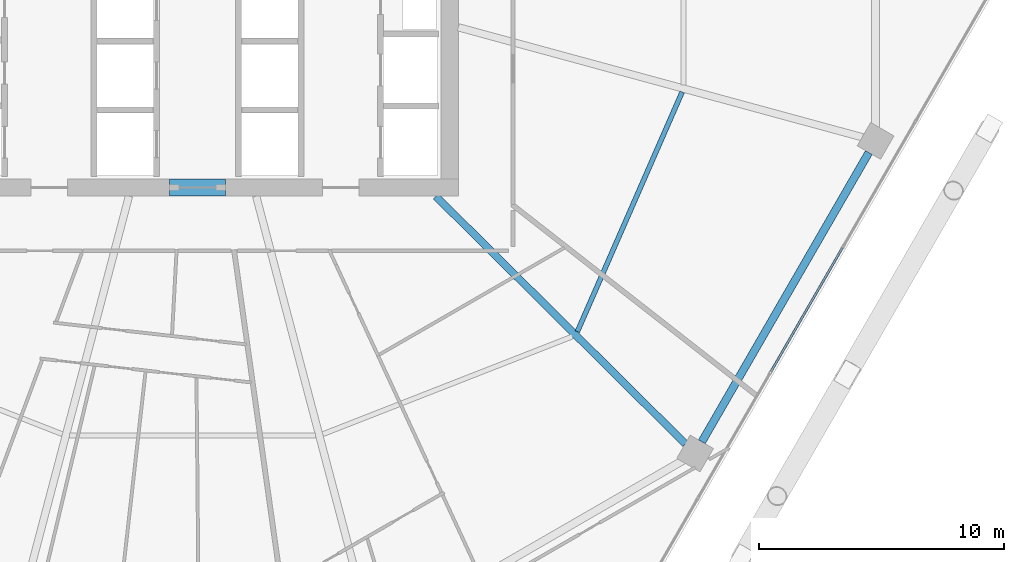
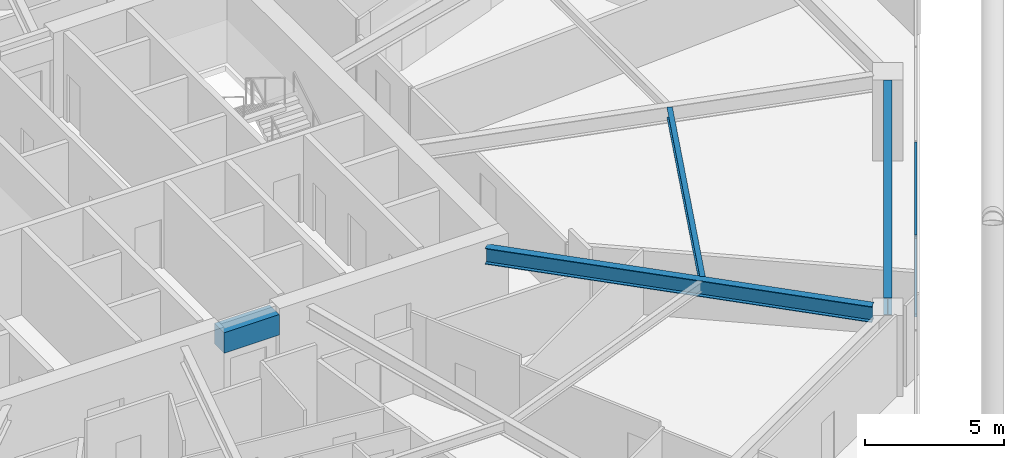
# One storey, part 11 of 35: 4 beams, 2 members, 1 element without a shape of its own.
"""IFC4 building model written with IfcOpenShell, lengths in metres."""

from ifc_helpers import new_model, si_unit, direction, frame, origin, origin_2d, place, context, subcontext, project, spatial, rectangle, hollow_rectangle, i_section, extrude, material, material_profile, profile_set, type_object, element, aggregate, save


model = new_model("IFC4")

# Units and contexts
model_context = context("Model", 3, precision=1e-05, world=origin(), true_north=direction((0.0, 1.0)))
body_context = subcontext(model_context, "Body", "Model", "MODEL_VIEW")
ifc_project = project(units=[si_unit("LENGTHUNIT", "METRE"), si_unit("AREAUNIT", "SQUARE_METRE"), si_unit("VOLUMEUNIT", "CUBIC_METRE"), si_unit("PLANEANGLEUNIT", "RADIAN"), si_unit("MASSUNIT", "GRAM", prefix="KILO")], contexts=[model_context])

# Site, building, storey
site_placement = place(None, origin())
site = spatial("IfcSite", under=ifc_project, at=site_placement, CompositionType="ELEMENT")
building_placement = place(site_placement, origin())
building = spatial("IfcBuilding", under=site, at=building_placement, Name="Zuhravey Tower", CompositionType="ELEMENT")
storey_placement = place(building_placement, frame((0.0, 0.0, 92.39990234375)))
storey = spatial("IfcBuildingStorey", under=building, at=storey_placement, Name="L22", CompositionType="ELEMENT", Elevation=92.39990234375)

# Beam
ifc_material_1 = material(Name="Concrete C60/75", Category="concrete")
ifc_material_profile_1 = material_profile(ifc_material_1, rectangle(XDim=0.699951171875, YDim=0.89990234375, at=origin_2d()), Name="RC-700x900")
ifc_profile_set_1 = profile_set([ifc_material_profile_1], Name="Concrete C60/75")
beam_type_1 = type_object("IfcBeamType", Name="Core Coupling Beam RC700x900", PredefinedType="LINTEL", material=ifc_profile_set_1)
beam_1_placement = place(storey_placement, frame((35.052001953125, 22.5, 3.10009765625), z_axis=(1.0, 0.0, 0.0), x_axis=(0.0, 1.0, 0.0)))
element("IfcBeam", 1, at=beam_1_placement, inside=storey, type_object=beam_type_1, Name="L22 CB1 BM-L22-CB-S", PredefinedType="LINTEL", context=body_context, shape_type="SweptSolid", body=[
    extrude(rectangle(XDim=0.699951171875, YDim=0.89990234375, at=origin_2d()), origin(), (0.0, 0.0, 1.0), 2.2958984375),
])

# Curtain wall, members
ifc_material_2 = material(Name="Thermally broken anodised aluminium", Category="aluminium")
curtain_wall_type = type_object("IfcCurtainWallType", Name="Zone 1-2 Residential Curtain Wall CW3", PredefinedType="NOTDEFINED", material=ifc_material_2)
curtain_wall_placement = place(storey_placement, origin())
curtain_wall = element("IfcCurtainWall", 2, at=curtain_wall_placement, inside=storey, type_object=curtain_wall_type, Name="L22 CW3 CW-L22-F6-1", PredefinedType="NOTDEFINED")
ifc_material_3 = material(Name="Anodised aluminium", Category="aluminium")
ifc_material_profile_2 = material_profile(ifc_material_3, hollow_rectangle(XDim=0.090087890625, YDim=0.14990234375, WallThickness=0.0048828125, at=origin_2d()), Name="ALU-RHS-90x150x5")
ifc_profile_set_2 = profile_set([ifc_material_profile_2], Name="Anodised aluminium")
member_type = type_object("IfcMemberType", Name="Curtain-Wall Transom 90x150", PredefinedType="USERDEFINED", material=ifc_profile_set_2)
member_1_placement = place(storey_placement, frame((62.5361328125, 20.045166015625, 0.045166015625), z_axis=(-0.499981042766, -0.866036348472, 0.0), x_axis=(0.866036348472, -0.499981042766, 0.0)))
member_1 = element("IfcMember", 3, at=member_1_placement, type_object=member_type, Name="CW3 transom 3.1", ObjectType="TRANSOM", PredefinedType="USERDEFINED", context=body_context, shape_type="SweptSolid", body=[
    extrude(hollow_rectangle(XDim=0.090087890625, YDim=0.14990234375, WallThickness=0.0048828125, at=origin_2d()), origin(), (0.0, 0.0, 1.0), 5.829833984375),
])
member_2_placement = place(storey_placement, frame((62.5361328125, 20.045166015625, 3.505126953125), z_axis=(-0.499981042766, -0.866036348472, 0.0), x_axis=(0.866036348472, -0.499981042766, 0.0)))
member_2 = element("IfcMember", 4, at=member_2_placement, type_object=member_type, Name="CW3 transom 3.2", ObjectType="TRANSOM", PredefinedType="USERDEFINED", context=body_context, shape_type="SweptSolid", body=[
    extrude(hollow_rectangle(XDim=0.090087890625, YDim=0.14990234375, WallThickness=0.0048828125, at=origin_2d()), origin(), (0.0, 0.0, 1.0), 5.829833984375),
])
aggregate(curtain_wall, [member_1, member_2])

# Beams
ifc_material_4 = material(Name="Steel SM355", Category="steel")
ifc_material_profile_3 = material_profile(ifc_material_4, i_section(OverallWidth=0.320068359375, OverallDepth=0.75, WebThickness=0.013916015625, FlangeThickness=0.02490234375, at=origin_2d()), Name="H-750x320x14x25")
ifc_profile_set_3 = profile_set([ifc_material_profile_3], Name="Steel SM355")
beam_type_2 = type_object("IfcBeamType", Name="Perimeter Ring Beam H750x320", PredefinedType="BEAM", material=ifc_profile_set_3)
beam_2_placement = place(storey_placement, frame((56.79541015625, 12.1220703125, 3.175048828125), z_axis=(0.500008177929, 0.866020682204, 0.0), x_axis=(-0.866020682204, 0.500008177929, 0.0)))
element("IfcBeam", 5, at=beam_2_placement, inside=storey, type_object=beam_type_2, Name="L22 PB1 BM-L22-PB-11", PredefinedType="BEAM", context=body_context, shape_type="SweptSolid", body=[
    extrude(i_section(OverallWidth=0.320068359375, OverallDepth=0.75, WebThickness=0.013916015625, FlangeThickness=0.02490234375, at=origin_2d()), origin(), (0.0, 0.0, 1.0), 13.634033203125),
])
ifc_material_profile_4 = material_profile(ifc_material_4, i_section(OverallWidth=0.300048828125, OverallDepth=0.699951171875, WebThickness=0.012939453125, FlangeThickness=0.02392578125, at=origin_2d()), Name="H-700x300x13x24")
ifc_profile_set_4 = profile_set([ifc_material_profile_4], Name="Steel SM355")
beam_type_3 = type_object("IfcBeamType", Name="Radial Primary Girder H700x300", PredefinedType="BEAM", material=ifc_profile_set_4)
beam_3_placement = place(storey_placement, frame((45.931396484375, 22.14697265625, 3.2001953125), z_axis=(0.709906230344, -0.704296204816, 0.0), x_axis=(0.704296204816, 0.709906230344, 0.0)))
element("IfcBeam", 6, at=beam_3_placement, inside=storey, type_object=beam_type_3, Name="L22 RG1 BM-L22-RAD-11", PredefinedType="BEAM", context=body_context, shape_type="SweptSolid", body=[
    extrude(i_section(OverallWidth=0.300048828125, OverallDepth=0.699951171875, WebThickness=0.012939453125, FlangeThickness=0.02392578125, at=origin_2d()), origin(), (0.0, 0.0, 1.0), 14.361083984375),
])
ifc_material_profile_5 = material_profile(ifc_material_4, i_section(OverallWidth=0.199951171875, OverallDepth=0.449951171875, WebThickness=0.009033203125, FlangeThickness=0.013916015625, at=origin_2d()), Name="H-450x200x9x14")
ifc_profile_set_5 = profile_set([ifc_material_profile_5], Name="Steel SM355")
beam_type_4 = type_object("IfcBeamType", Name="Secondary Floor Joist H450x200", PredefinedType="JOIST", material=ifc_profile_set_5)
beam_4_placement = place(storey_placement, frame((51.71044921875, 16.615966796875, 3.3251953125), z_axis=(0.400786454617, 0.916171500209, 0.0), x_axis=(-0.916171500209, 0.400786454617, 0.0)))
element("IfcBeam", 7, at=beam_4_placement, inside=storey, type_object=beam_type_4, Name="L22 SJ1 BM-L22-SJ-11-1", PredefinedType="JOIST", context=body_context, shape_type="SweptSolid", body=[
    extrude(i_section(OverallWidth=0.199951171875, OverallDepth=0.449951171875, WebThickness=0.009033203125, FlangeThickness=0.013916015625, at=origin_2d()), origin(), (0.0, 0.0, 1.0), 10.6796875),
])

save(model, "model.ifc")
